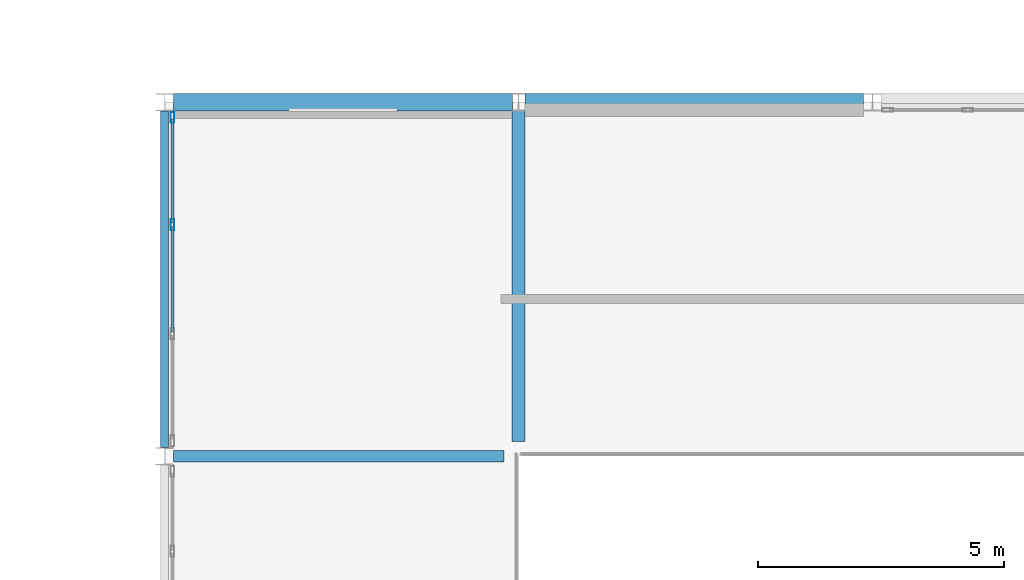
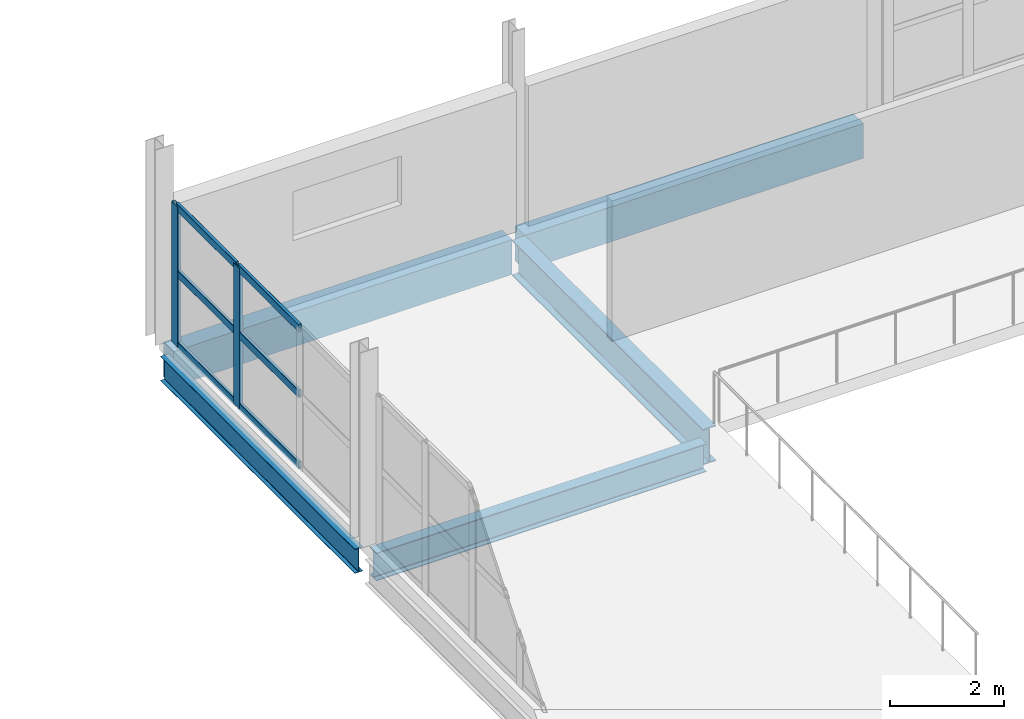
# One storey, part 34 of 94: 8 members, 5 beams, 1 element without a shape of its own.
"""IFC4 building model written with IfcOpenShell, lengths in metres."""

from ifc_helpers import new_model, si_unit, direction, frame, origin, origin_2d, place, context, subcontext, project, spatial, rectangle, hollow_rectangle, i_section, extrude, material, material_profile, profile_set, type_object, element, aggregate, save


model = new_model("IFC4")

# Units and contexts
model_context = context("Model", 3, precision=1e-05, world=origin(), true_north=direction((0.0, 1.0)))
body_context = subcontext(model_context, "Body", "Model", "MODEL_VIEW")
ifc_project = project(units=[si_unit("LENGTHUNIT", "METRE"), si_unit("AREAUNIT", "SQUARE_METRE"), si_unit("VOLUMEUNIT", "CUBIC_METRE"), si_unit("PLANEANGLEUNIT", "RADIAN"), si_unit("MASSUNIT", "GRAM", prefix="KILO")], contexts=[model_context])

# Site, building, storey
site_placement = place(None, origin())
site = spatial("IfcSite", under=ifc_project, at=site_placement, CompositionType="ELEMENT")
building_placement = place(site_placement, origin())
building = spatial("IfcBuilding", under=site, at=building_placement, Name="Kalmorath City Hall", CompositionType="ELEMENT")
storey_placement = place(building_placement, frame((0.0, 0.0, 14.699951171875)))
storey = spatial("IfcBuildingStorey", under=building, at=storey_placement, Name="L03", CompositionType="ELEMENT", Elevation=14.699951171875)

# Curtain wall, members
ifc_material_1 = material(Name="Anodised aluminium and laminated glass", Category="aluminium")
curtain_wall_type = type_object("IfcCurtainWallType", Name="Unitised hurricane curtain wall 6651x3018 M2100", PredefinedType="NOTDEFINED", material=ifc_material_1)
curtain_wall_placement = place(storey_placement, origin())
curtain_wall = element("IfcCurtainWall", 1, at=curtain_wall_placement, inside=storey, type_object=curtain_wall_type, Name="L03 curtain wall CW-67X30M21 #159", PredefinedType="NOTDEFINED")
ifc_material_2 = material(Name="Anodised aluminium framing", Category="aluminium")
ifc_material_profile_1 = material_profile(ifc_material_2, hollow_rectangle(XDim=0.074951171875, YDim=0.219970703125, WallThickness=0.00390625, InnerFilletRadius=0.00390625, OuterFilletRadius=0.008056640625, at=origin_2d()), Name="ALU-MUL-220X75X4")
ifc_profile_set_1 = profile_set([ifc_material_profile_1], Name="Anodised aluminium framing")
member_type_1 = type_object("IfcMemberType", Name="Curtain-wall primary mullion 220x75", PredefinedType="MULLION", material=ifc_profile_set_1)
member_1_placement = place(storey_placement, frame((115.360107421875, 40.70849609375, 0.0), z_axis=(0.0, 0.0, 1.0), x_axis=(-1.0, 0.0, 0.0)))
member_1 = element("IfcMember", 2, at=member_1_placement, type_object=member_type_1, Name="CW-67X30M21 mullion 3", PredefinedType="MULLION", context=body_context, shape_type="SweptSolid", body=[
    extrude(hollow_rectangle(XDim=0.074951171875, YDim=0.219970703125, WallThickness=0.00390625, InnerFilletRadius=0.00390625, OuterFilletRadius=0.008056640625, at=origin_2d()), origin(), (0.0, 0.0, 1.0), 3.01806640625),
])
member_2_placement = place(storey_placement, frame((115.360107421875, 42.887939453125, 0.0), z_axis=(0.0, 0.0, 1.0), x_axis=(-1.0, 0.0, 0.0)))
member_2 = element("IfcMember", 3, at=member_2_placement, type_object=member_type_1, Name="CW-67X30M21 mullion 4", PredefinedType="MULLION", context=body_context, shape_type="SweptSolid", body=[
    extrude(hollow_rectangle(XDim=0.074951171875, YDim=0.219970703125, WallThickness=0.00390625, InnerFilletRadius=0.00390625, OuterFilletRadius=0.008056640625, at=origin_2d()), origin(), (0.0, 0.0, 1.0), 3.01806640625),
])
ifc_material_3 = material(Name="Anodised aluminium framing", Category="aluminium")
ifc_material_profile_2 = material_profile(ifc_material_3, hollow_rectangle(XDim=0.06494140625, YDim=0.159912109375, WallThickness=0.00390625, InnerFilletRadius=0.00390625, OuterFilletRadius=0.008056640625, at=origin_2d()), Name="ALU-TRN-160X65X4")
ifc_profile_set_2 = profile_set([ifc_material_profile_2], Name="Anodised aluminium framing")
member_type_2 = type_object("IfcMemberType", Name="Curtain-wall primary transom 160x65", PredefinedType="USERDEFINED", material=ifc_profile_set_2)
member_3_placement = place(storey_placement, frame((115.360107421875, 38.529052734375, 0.032470703125), z_axis=(0.0, 1.0, 0.0), x_axis=(-1.0, 0.0, 0.0)))
member_3 = element("IfcMember", 4, at=member_3_placement, type_object=member_type_2, Name="CW-67X30M21 transom 2.1", ObjectType="TRANSOM", PredefinedType="USERDEFINED", context=body_context, shape_type="SweptSolid", body=[
    extrude(hollow_rectangle(XDim=0.06494140625, YDim=0.159912109375, WallThickness=0.00390625, InnerFilletRadius=0.00390625, OuterFilletRadius=0.008056640625, at=origin_2d()), origin(), (0.0, 0.0, 1.0), 2.141845703125),
])
member_4_placement = place(storey_placement, frame((115.360107421875, 38.529052734375, 1.569091796875), z_axis=(0.0, 1.0, 0.0), x_axis=(-1.0, 0.0, 0.0)))
member_4 = element("IfcMember", 5, at=member_4_placement, type_object=member_type_2, Name="CW-67X30M21 transom 2.2", ObjectType="TRANSOM", PredefinedType="USERDEFINED", context=body_context, shape_type="SweptSolid", body=[
    extrude(hollow_rectangle(XDim=0.06494140625, YDim=0.159912109375, WallThickness=0.00390625, InnerFilletRadius=0.00390625, OuterFilletRadius=0.008056640625, at=origin_2d()), origin(), (0.0, 0.0, 1.0), 2.141845703125),
])
member_5_placement = place(storey_placement, frame((115.360107421875, 38.529052734375, 2.985595703125), z_axis=(0.0, 1.0, 0.0), x_axis=(-1.0, 0.0, 0.0)))
member_5 = element("IfcMember", 6, at=member_5_placement, type_object=member_type_2, Name="CW-67X30M21 transom 2.3", ObjectType="TRANSOM", PredefinedType="USERDEFINED", context=body_context, shape_type="SweptSolid", body=[
    extrude(hollow_rectangle(XDim=0.06494140625, YDim=0.159912109375, WallThickness=0.00390625, InnerFilletRadius=0.00390625, OuterFilletRadius=0.008056640625, at=origin_2d()), origin(), (0.0, 0.0, 1.0), 2.141845703125),
])
member_6_placement = place(storey_placement, frame((115.360107421875, 40.74609375, 0.032470703125), z_axis=(0.0, 1.0, 0.0), x_axis=(-1.0, 0.0, 0.0)))
member_6 = element("IfcMember", 7, at=member_6_placement, type_object=member_type_2, Name="CW-67X30M21 transom 3.1", ObjectType="TRANSOM", PredefinedType="USERDEFINED", context=body_context, shape_type="SweptSolid", body=[
    extrude(hollow_rectangle(XDim=0.06494140625, YDim=0.159912109375, WallThickness=0.00390625, InnerFilletRadius=0.00390625, OuterFilletRadius=0.008056640625, at=origin_2d()), origin(), (0.0, 0.0, 1.0), 2.1044921875),
])
member_7_placement = place(storey_placement, frame((115.360107421875, 40.74609375, 1.569091796875), z_axis=(0.0, 1.0, 0.0), x_axis=(-1.0, 0.0, 0.0)))
member_7 = element("IfcMember", 8, at=member_7_placement, type_object=member_type_2, Name="CW-67X30M21 transom 3.2", ObjectType="TRANSOM", PredefinedType="USERDEFINED", context=body_context, shape_type="SweptSolid", body=[
    extrude(hollow_rectangle(XDim=0.06494140625, YDim=0.159912109375, WallThickness=0.00390625, InnerFilletRadius=0.00390625, OuterFilletRadius=0.008056640625, at=origin_2d()), origin(), (0.0, 0.0, 1.0), 2.1044921875),
])
member_8_placement = place(storey_placement, frame((115.360107421875, 40.74609375, 2.985595703125), z_axis=(0.0, 1.0, 0.0), x_axis=(-1.0, 0.0, 0.0)))
member_8 = element("IfcMember", 9, at=member_8_placement, type_object=member_type_2, Name="CW-67X30M21 transom 3.3", ObjectType="TRANSOM", PredefinedType="USERDEFINED", context=body_context, shape_type="SweptSolid", body=[
    extrude(hollow_rectangle(XDim=0.06494140625, YDim=0.159912109375, WallThickness=0.00390625, InnerFilletRadius=0.00390625, OuterFilletRadius=0.008056640625, at=origin_2d()), origin(), (0.0, 0.0, 1.0), 2.1044921875),
])
aggregate(curtain_wall, [member_1, member_2, member_3, member_4, member_5, member_6, member_7, member_8])

# Beams
ifc_material_4 = material(Name="Precast concrete C40/50", Category="concrete")
ifc_material_profile_3 = material_profile(ifc_material_4, rectangle(XDim=0.35009765625, YDim=0.75, at=origin_2d()), Name="PC-SP-350X750")
ifc_profile_set_3 = profile_set([ifc_material_profile_3], Name="Precast concrete C40/50")
beam_type_1 = type_object("IfcBeamType", Name="Precast spandrel lintel 350x750", PredefinedType="LINTEL", material=ifc_profile_set_3)
for number, where, z_axis, x_axis, name in (
    (10, (115.384521484375, 43.199951171875, -0.638916015625), (1.0, 0.0, 0.0), (0.0, 1.0, 0.0), "L03 girder PSB1 X17-18/7"),
    (11, (122.528076171875, 43.199951171875, -0.638916015625), (1.0, 0.0, 0.0), (0.0, 1.0, 0.0), "L03 girder PSB1 X18-19/7"),
):
    element("IfcBeam", number, at=place(storey_placement, frame(where, z_axis=z_axis, x_axis=x_axis)), inside=storey, type_object=beam_type_1, Name=name, PredefinedType="LINTEL", context=body_context, shape_type="SweptSolid", body=[
        extrude(rectangle(XDim=0.35009765625, YDim=0.75, at=origin_2d()), origin(), (0.0, 0.0, 1.0), 6.887451171875),
    ])
ifc_material_5 = material(Name="Steel ASTM A992 Grade 50", Category="steel")
ifc_material_profile_4 = material_profile(ifc_material_5, i_section(OverallWidth=0.22802734375, OverallDepth=0.60302734375, WebThickness=0.010498046875, FlangeThickness=0.014892578125, FilletRadius=0.01611328125, at=origin_2d()), Name="W24X68")
ifc_profile_set_4 = profile_set([ifc_material_profile_4], Name="Steel ASTM A992 Grade 50")
beam_type_2 = type_object("IfcBeamType", Name="Steel floor girder W24X68", PredefinedType="BEAM", material=ifc_profile_set_4)
beam_1_placement = place(storey_placement, frame((115.384521484375, 36.0, -0.5654296875), z_axis=(1.0, 0.0, 0.0), x_axis=(0.0, 1.0, 0.0)))
element("IfcBeam", 12, at=beam_1_placement, inside=storey, type_object=beam_type_2, Name="L03 girder SG9 X17-18/6", PredefinedType="BEAM", context=body_context, shape_type="SweptSolid", body=[
    extrude(i_section(OverallWidth=0.22802734375, OverallDepth=0.60302734375, WebThickness=0.010498046875, FlangeThickness=0.014892578125, FilletRadius=0.01611328125, at=origin_2d()), origin(), (0.0, 0.0, 1.0), 6.715576171875),
])
ifc_material_6 = material(Name="Steel ASTM A992 Grade 50", Category="steel")
ifc_material_profile_5 = material_profile(ifc_material_6, i_section(OverallWidth=0.26806640625, OverallDepth=0.77001953125, WebThickness=0.015625, FlangeThickness=0.025390625, FilletRadius=0.02001953125, at=origin_2d()), Name="W30X132")
ifc_profile_set_5 = profile_set([ifc_material_profile_5], Name="Steel ASTM A992 Grade 50")
beam_type_3 = type_object("IfcBeamType", Name="Steel primary girder W30X132", PredefinedType="BEAM", material=ifc_profile_set_5)
beam_2_placement = place(storey_placement, frame((122.39990234375, 36.300048828125, -0.64892578125), z_axis=(0.0, 1.0, 0.0), x_axis=(-1.0, 0.0, 0.0)))
element("IfcBeam", 13, at=beam_2_placement, inside=storey, type_object=beam_type_3, Name="L03 girder SG3 Y18/6-7", PredefinedType="BEAM", context=body_context, shape_type="SweptSolid", body=[
    extrude(i_section(OverallWidth=0.26806640625, OverallDepth=0.77001953125, WebThickness=0.015625, FlangeThickness=0.025390625, FilletRadius=0.02001953125, at=origin_2d()), origin(), (0.0, 0.0, 1.0), 6.719970703125),
])
ifc_material_7 = material(Name="Steel ASTM A992 Grade 50", Category="steel")
ifc_material_profile_6 = material_profile(ifc_material_7, i_section(OverallWidth=0.1650390625, OverallDepth=0.52490234375, WebThickness=0.0087890625, FlangeThickness=0.011474609375, FilletRadius=0.014892578125, at=origin_2d()), Name="W21X44")
ifc_profile_set_6 = profile_set([ifc_material_profile_6], Name="Steel ASTM A992 Grade 50")
beam_type_4 = type_object("IfcBeamType", Name="Steel spandrel beam W21X44", PredefinedType="SPANDREL", material=ifc_profile_set_6)
beam_3_placement = place(storey_placement, frame((115.199951171875, 36.177978515625, -0.5263671875), z_axis=(0.0, 1.0, 0.0), x_axis=(-1.0, 0.0, 0.0)))
element("IfcBeam", 14, at=beam_3_placement, inside=storey, type_object=beam_type_4, Name="L03 girder SB4 Y17/6-7", PredefinedType="SPANDREL", context=body_context, shape_type="SweptSolid", body=[
    extrude(i_section(OverallWidth=0.1650390625, OverallDepth=0.52490234375, WebThickness=0.0087890625, FlangeThickness=0.011474609375, FilletRadius=0.014892578125, at=origin_2d()), origin(), (0.0, 0.0, 1.0), 6.843994140625),
])

save(model, "model.ifc")
